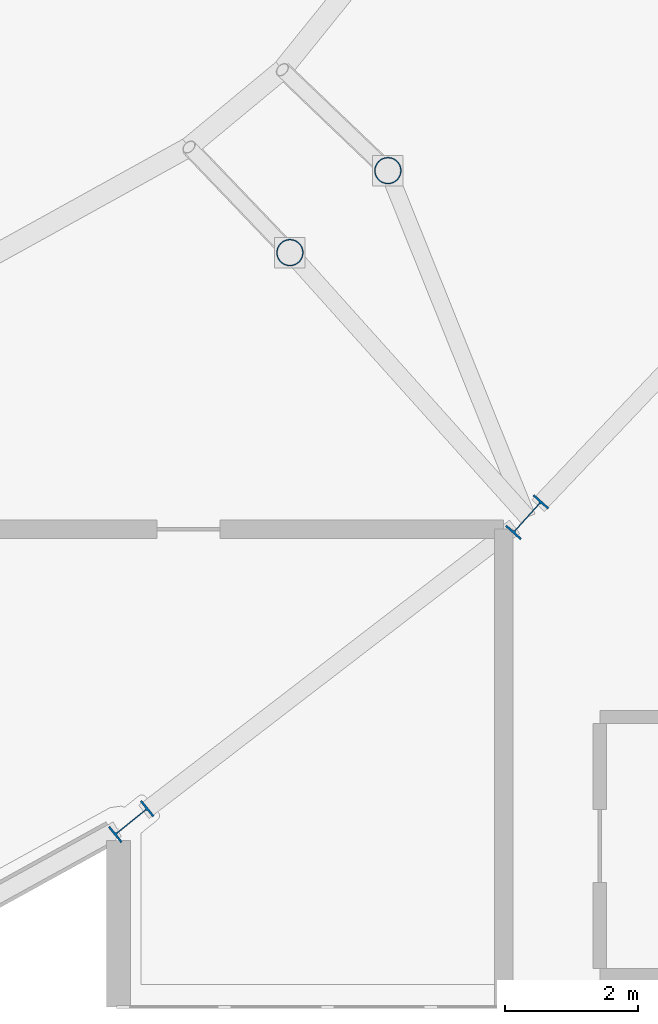
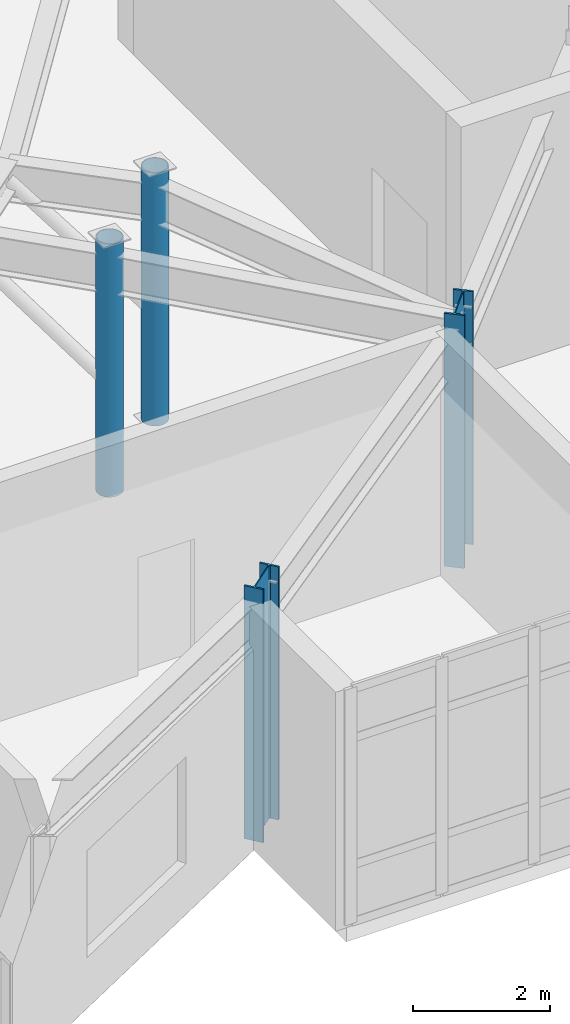
# One storey, part 5 of 48: 4 columns.
"""IFC4 building model written with IfcOpenShell, lengths in metres."""

from ifc_helpers import new_model, si_unit, direction, frame, origin, origin_2d, place, context, subcontext, project, spatial, hollow_circle, i_section, extrude, material, material_profile, profile_set, type_object, element, save


model = new_model("IFC4")

# Units and contexts
model_context = context("Model", 3, precision=1e-05, world=origin(), true_north=direction((0.0, 1.0)))
body_context = subcontext(model_context, "Body", "Model", "MODEL_VIEW")
ifc_project = project(units=[si_unit("LENGTHUNIT", "METRE"), si_unit("AREAUNIT", "SQUARE_METRE"), si_unit("VOLUMEUNIT", "CUBIC_METRE"), si_unit("PLANEANGLEUNIT", "RADIAN"), si_unit("MASSUNIT", "GRAM", prefix="KILO")], contexts=[model_context])

# Site, building, storey
site_placement = place(None, origin())
site = spatial("IfcSite", under=ifc_project, at=site_placement, CompositionType="ELEMENT")
building_placement = place(site_placement, origin())
building = spatial("IfcBuilding", under=site, at=building_placement, Name="Glasvene Arena", CompositionType="ELEMENT")
storey_placement = place(building_placement, frame((0.0, 0.0, 19.5)))
storey = spatial("IfcBuildingStorey", under=building, at=storey_placement, Name="L04", CompositionType="ELEMENT", Elevation=19.5)

# Columns
ifc_material = material(Name="Steel S355J2", Category="steel")
ifc_material_profile_1 = material_profile(ifc_material, i_section(OverallWidth=0.300048828125, OverallDepth=0.64990234375, WebThickness=0.01611328125, FlangeThickness=0.031005859375, FilletRadius=0.027099609375, at=origin_2d()), Name="HEB 650")
ifc_profile_set_1 = profile_set([ifc_material_profile_1], Name="Steel S355J2")
column_type_1 = type_object("IfcColumnType", Name="COL-RING-HEB650", PredefinedType="COLUMN", material=ifc_profile_set_1)
for number, where, z_axis, x_axis, name in (
    (1, (121.389404296875, 36.59423828125, 0.0), (0.0, 0.0, 1.0), (0.628098877137, -0.778133536444, 0.0), "Bowl ring column R35 L04"),
    (2, (127.355224609375, 41.18017578125, 0.0), (0.0, 0.0, 1.0), (0.74326159948, -0.669000892928, 0.0), "Bowl ring column R36 L04"),
):
    element("IfcColumn", number, at=place(storey_placement, frame(where, z_axis=z_axis, x_axis=x_axis)), inside=storey, type_object=column_type_1, Name=name, PredefinedType="COLUMN", context=body_context, shape_type="SweptSolid", body=[
        extrude(i_section(OverallWidth=0.300048828125, OverallDepth=0.64990234375, WebThickness=0.01611328125, FlangeThickness=0.031005859375, FilletRadius=0.027099609375, at=origin_2d()), origin(), (0.0, 0.0, 1.0), 4.5),
    ])
ifc_material_profile_2 = material_profile(ifc_material, hollow_circle(Radius=0.203125, WallThickness=0.01611328125, at=origin_2d()), Name="CHS 406.4x16.0")
ifc_profile_set_2 = profile_set([ifc_material_profile_2], Name="Steel S355J2")
column_type_2 = type_object("IfcColumnType", Name="COL-W-CHS406", PredefinedType="COLUMN", material=ifc_profile_set_2)
for number, where, z_axis, x_axis, name in (
    (3, (123.780517578125, 45.165771484375, 0.0), (0.0, 0.0, 1.0), (1.0, 0.0, 0.0), "Gondola support column L04 14-2"),
    (4, (125.256591796875, 46.40087890625, 0.0), (0.0, 0.0, 1.0), (1.0, 0.0, 0.0), "Gondola support column L04 15-1"),
):
    element("IfcColumn", number, at=place(storey_placement, frame(where, z_axis=z_axis, x_axis=x_axis)), inside=storey, type_object=column_type_2, Name=name, PredefinedType="COLUMN", context=body_context, shape_type="SweptSolid", body=[
        extrude(hollow_circle(Radius=0.203125, WallThickness=0.01611328125, at=origin_2d()), origin(), (0.0, 0.0, 1.0), 4.5),
    ])

save(model, "model.ifc")
